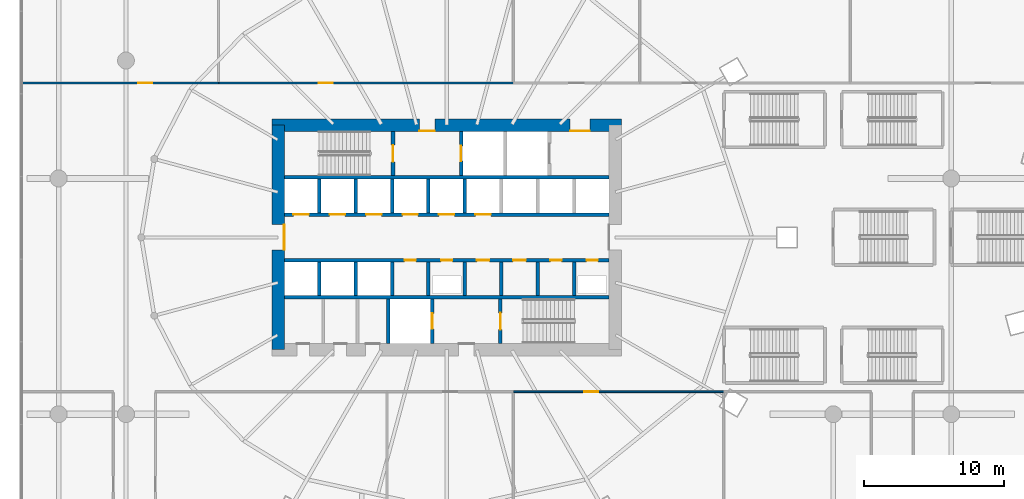
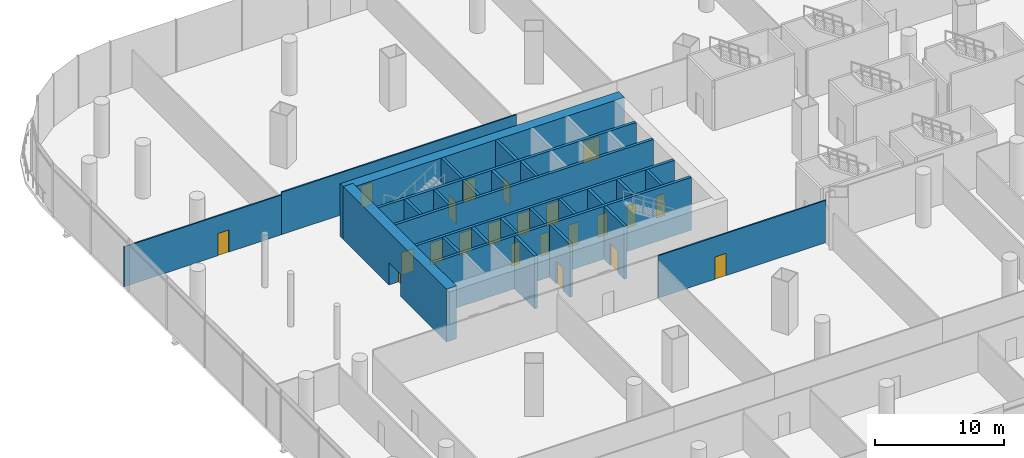
# One storey, part 34 of 51: 27 walls, 22 doors, 22 openings.
"""IFC4 building model written with IfcOpenShell, lengths in metres."""

from ifc_helpers import new_model, si_unit, direction, frame, frame_2d, origin, place, context, subcontext, project, spatial, rectangle, extrude, material, layer, layer_set, type_object, element, fill, save


model = new_model("IFC4")

# Units and contexts
model_context = context("Model", 3, precision=1e-05, world=origin(), true_north=direction((0.0, 1.0)))
body_context = subcontext(model_context, "Body", "Model", "MODEL_VIEW")
ifc_project = project(units=[si_unit("LENGTHUNIT", "METRE"), si_unit("AREAUNIT", "SQUARE_METRE"), si_unit("VOLUMEUNIT", "CUBIC_METRE"), si_unit("PLANEANGLEUNIT", "RADIAN"), si_unit("MASSUNIT", "GRAM", prefix="KILO")], contexts=[model_context])

# Site, building, storey
site_placement = place(None, origin())
site = spatial("IfcSite", under=ifc_project, at=site_placement, CompositionType="ELEMENT")
building_placement = place(site_placement, origin())
building = spatial("IfcBuilding", under=site, at=building_placement, Name="Rimbun Link Towers", CompositionType="ELEMENT")
storey_placement = place(building_placement, frame((0.0, 0.0, 7.0)))
storey = spatial("IfcBuildingStorey", under=building, at=storey_placement, Name="L01", CompositionType="ELEMENT", Elevation=7.0)

# Wall, openings, doors
ifc_material_1 = material(Name="Concrete C60/75", Category="concrete")
ifc_layer_1 = layer(ifc_material_1, 0.89990234375)
ifc_layer_set_1 = layer_set([ifc_layer_1], Name="Core shear wall 900")
wall_type_1 = type_object("IfcWallType", Name="Core shear wall 900", PredefinedType="SHEAR", material=ifc_layer_set_1)
wall_1_placement = place(storey_placement, frame((-44.199951171875, 8.0, 0.0), z_axis=(0.0, 0.0, 1.0), x_axis=(1.0, 0.0, 0.0)))
wall_1 = element("IfcWall", 1, at=wall_1_placement, inside=storey, type_object=wall_type_1, Name="L01 T1 core wall N", PredefinedType="SHEAR", context=body_context, shape_type="SweptSolid", body=[
    extrude(rectangle(XDim=24.89990234375, YDim=0.89990234375, at=frame_2d((12.449951171875, 0.0))), origin(), (0.0, 0.0, 1.0), 5.0),
])
opening_1_placement = place(wall_1_placement, frame((10.5, 0.0, 0.0)))
opening_1 = element("IfcOpeningElement", 2, at=opening_1_placement, cuts=wall_1, Name="Opening C1DCF01N", PredefinedType="OPENING", context=body_context, shape_type="SweptSolid", body=[
    extrude(rectangle(XDim=1.10009765625, YDim=2.10009765625, at=frame_2d((0.550048828125, 1.050048828125))), frame((0.0, 0.4599609375, 0.0), z_axis=(0.0, -1.0, 0.0), x_axis=(1.0, 0.0, 0.0)), (0.0, 0.0, 1.0), 0.919921875),
])
opening_2_placement = place(wall_1_placement, frame((21.25, 0.0, 0.0)))
opening_2 = element("IfcOpeningElement", 3, at=opening_2_placement, cuts=wall_1, Name="Opening C1DSL02N", PredefinedType="OPENING", context=body_context, shape_type="SweptSolid", body=[
    extrude(rectangle(XDim=1.39990234375, YDim=2.10009765625, at=frame_2d((0.699951171875, 1.050048828125))), frame((0.0, 0.4599609375, 0.0), z_axis=(0.0, -1.0, 0.0), x_axis=(1.0, 0.0, 0.0)), (0.0, 0.0, 1.0), 0.919921875),
])
ifc_material_2 = material(Name="Steel fire door set", Category="steel")
door_type_1 = type_object("IfcDoorType", Name="Core fire door single", OperationType="SINGLE_SWING_LEFT", PredefinedType="DOOR", material=ifc_material_2)
door_1_placement = place(opening_1_placement, origin())
door_1 = element("IfcDoor", 4, at=door_1_placement, inside=storey, type_object=door_type_1, Name="L01 T1 firefighting lobby n door", OperationType="SINGLE_SWING_LEFT", OverallHeight=2.10009765625, OverallWidth=1.10009765625, PredefinedType="DOOR", context=body_context, shape_type="SweptSolid", body=[
    extrude(rectangle(XDim=1.10009765625, YDim=2.10009765625, at=frame_2d((0.550048828125, 1.050048828125))), frame((0.0, -0.39990234375, 0.0), z_axis=(0.0, -1.0, 0.0), x_axis=(1.0, 0.0, 0.0)), (0.0, 0.0, 1.0), 0.050048828125),
])
fill(opening_1, door_1)
ifc_material_3 = material(Name="Steel fire door set", Category="steel")
door_type_2 = type_object("IfcDoorType", Name="Service lobby door double", OperationType="DOUBLE_DOOR_SINGLE_SWING", PredefinedType="DOOR", material=ifc_material_3)
door_2_placement = place(opening_2_placement, origin())
door_2 = element("IfcDoor", 5, at=door_2_placement, inside=storey, type_object=door_type_2, Name="L01 T1 service lobby door", OperationType="DOUBLE_DOOR_SINGLE_SWING", OverallHeight=2.10009765625, OverallWidth=1.39990234375, PredefinedType="DOOR", context=body_context, shape_type="SweptSolid", body=[
    extrude(rectangle(XDim=1.39990234375, YDim=2.10009765625, at=frame_2d((0.699951171875, 1.050048828125))), frame((0.0, -0.39990234375, 0.0), z_axis=(0.0, -1.0, 0.0), x_axis=(1.0, 0.0, 0.0)), (0.0, 0.0, 1.0), 0.050048828125),
])
fill(opening_2, door_2)

# Wall, opening, door
wall_2_placement = place(storey_placement, frame((-43.75, -8.0, 0.0), z_axis=(0.0, 0.0, 1.0), x_axis=(0.0, 1.0, 0.0)))
wall_2 = element("IfcWall", 6, at=wall_2_placement, inside=storey, type_object=wall_type_1, Name="L01 T1 core wall W", PredefinedType="SHEAR", context=body_context, shape_type="SweptSolid", body=[
    extrude(rectangle(XDim=16.0, YDim=0.89990234375, at=frame_2d((8.0, 0.0))), origin(), (0.0, 0.0, 1.0), 5.0),
])
opening_3_placement = place(wall_2_placement, frame((7.10009765625, 0.0, 0.0)))
opening_3 = element("IfcOpeningElement", 7, at=opening_3_placement, cuts=wall_2, Name="Opening C1DCL01W", PredefinedType="OPENING", context=body_context, shape_type="SweptSolid", body=[
    extrude(rectangle(XDim=1.800048828125, YDim=2.10009765625, at=frame_2d((0.89990234375, 1.050048828125))), frame((0.0, 0.4599609375, 0.0), z_axis=(0.0, -1.0, 0.0), x_axis=(1.0, 0.0, 0.0)), (0.0, 0.0, 1.0), 0.919921875),
])
ifc_material_4 = material(Name="Steel fire door set", Category="steel")
door_type_3 = type_object("IfcDoorType", Name="Core lobby door double", OperationType="DOUBLE_DOOR_SINGLE_SWING", PredefinedType="DOOR", material=ifc_material_4)
door_3_placement = place(opening_3_placement, origin())
door_3 = element("IfcDoor", 8, at=door_3_placement, inside=storey, type_object=door_type_3, Name="L01 T1 lift lobby door", OperationType="DOUBLE_DOOR_SINGLE_SWING", OverallHeight=2.10009765625, OverallWidth=1.800048828125, PredefinedType="DOOR", context=body_context, shape_type="SweptSolid", body=[
    extrude(rectangle(XDim=1.800048828125, YDim=2.10009765625, at=frame_2d((0.89990234375, 1.050048828125))), frame((0.0, -0.39990234375, 0.0), z_axis=(0.0, -1.0, 0.0), x_axis=(1.0, 0.0, 0.0)), (0.0, 0.0, 1.0), 0.050048828125),
])
fill(opening_3, door_3)

ifc_material_5 = material(Name="Gypsum board on steel studs", Category="steel")
ifc_layer_2 = layer(ifc_material_5, 0.125)
ifc_layer_set_2 = layer_set([ifc_layer_2], Name="Partition 125 board on studs")
wall_type_2 = type_object("IfcWallType", Name="Partition 125 board on studs", PredefinedType="PARTITIONING", material=ifc_layer_set_2)
wall_3_placement = place(storey_placement, frame((-27.0, -11.0, 0.0), z_axis=(0.0, 0.0, 1.0), x_axis=(1.0, 0.0, 0.0)))
wall_3 = element("IfcWall", 9, at=wall_3_placement, inside=storey, type_object=wall_type_2, Name="PD/PW/L01/028", PredefinedType="PARTITIONING", context=body_context, shape_type="SweptSolid", body=[
    extrude(rectangle(XDim=15.0, YDim=0.125, at=frame_2d((7.5, 0.0))), origin(), (0.0, 0.0, 1.0), 3.99609375),
])
opening_4_placement = place(wall_3_placement, frame((5.034912109375, 0.0, 0.0)))
opening_4 = element("IfcOpeningElement", 10, at=opening_4_placement, cuts=wall_3, Name="Opening PD D01.14", PredefinedType="OPENING", context=body_context, shape_type="SweptSolid", body=[
    extrude(rectangle(XDim=1.0, YDim=2.10009765625, at=frame_2d((0.5, 1.050048828125))), frame((0.0, 0.072509765625, 0.0), z_axis=(0.0, -1.0, 0.0), x_axis=(1.0, 0.0, 0.0)), (0.0, 0.0, 1.0), 0.14501953125),
])
ifc_material_6 = material(Name="Timber door set", Category="wood")
door_type_4 = type_object("IfcDoorType", Name="Door single leaf 1000 x 2100", OperationType="NOTDEFINED", PredefinedType="DOOR", material=ifc_material_6)
door_4_placement = place(opening_4_placement, origin())
door_4 = element("IfcDoor", 11, at=door_4_placement, inside=storey, type_object=door_type_4, Name="PD/DR/L01/014", OperationType="SINGLE_SWING_LEFT", OverallHeight=2.10009765625, OverallWidth=1.0, PredefinedType="DOOR", context=body_context, shape_type="SweptSolid", body=[
    extrude(rectangle(XDim=1.0, YDim=2.10009765625, at=frame_2d((0.5, 1.050048828125))), frame((0.0, 0.02490234375, 0.0), z_axis=(0.0, -1.0, 0.0), x_axis=(1.0, 0.0, 0.0)), (0.0, 0.0, 1.0), 0.050048828125),
])
fill(opening_4, door_4)

wall_4_placement = place(storey_placement, frame((-48.0, 11.0, 0.0), z_axis=(0.0, 0.0, 1.0), x_axis=(-1.0, 0.0, 0.0)))
wall_4 = element("IfcWall", 12, at=wall_4_placement, inside=storey, type_object=wall_type_2, Name="PD/PW/L01/038", PredefinedType="PARTITIONING", context=body_context, shape_type="SweptSolid", body=[
    extrude(rectangle(XDim=14.080078125, YDim=0.125, at=frame_2d((7.0400390625, 0.0))), origin(), (0.0, 0.0, 1.0), 3.761962890625),
])
opening_5_placement = place(wall_4_placement, frame((4.712890625, 0.0, 0.0)))
opening_5 = element("IfcOpeningElement", 13, at=opening_5_placement, cuts=wall_4, Name="Opening PD D01.26", PredefinedType="OPENING", context=body_context, shape_type="SweptSolid", body=[
    extrude(rectangle(XDim=1.0, YDim=2.10009765625, at=frame_2d((0.5, 1.050048828125))), frame((0.0, 0.072509765625, 0.0), z_axis=(0.0, -1.0, 0.0), x_axis=(1.0, 0.0, 0.0)), (0.0, 0.0, 1.0), 0.14501953125),
])
door_5_placement = place(opening_5_placement, origin())
door_5 = element("IfcDoor", 14, at=door_5_placement, inside=storey, type_object=door_type_4, Name="PD/DR/L01/026", OperationType="SINGLE_SWING_LEFT", OverallHeight=2.10009765625, OverallWidth=1.0, PredefinedType="DOOR", context=body_context, shape_type="SweptSolid", body=[
    extrude(rectangle(XDim=1.0, YDim=2.10009765625, at=frame_2d((0.5, 1.050048828125))), frame((0.0, 0.02490234375, 0.0), z_axis=(0.0, -1.0, 0.0), x_axis=(1.0, 0.0, 0.0)), (0.0, 0.0, 1.0), 0.050048828125),
])
fill(opening_5, door_5)

wall_5_placement = place(storey_placement, frame((-27.0, 11.0, 0.0), z_axis=(0.0, 0.0, 1.0), x_axis=(-1.0, 0.0, 0.0)))
wall_5 = element("IfcWall", 15, at=wall_5_placement, inside=storey, type_object=wall_type_2, Name="PD/PW/L01/039", PredefinedType="PARTITIONING", context=body_context, shape_type="SweptSolid", body=[
    extrude(rectangle(XDim=21.0, YDim=0.125, at=frame_2d((10.5, 0.0))), origin(), (0.0, 0.0, 1.0), 3.99609375),
])
opening_6_placement = place(wall_5_placement, frame((12.864990234375, 0.0, 0.0)))
opening_6 = element("IfcOpeningElement", 16, at=opening_6_placement, cuts=wall_5, Name="Opening PD D01.27", PredefinedType="OPENING", context=body_context, shape_type="SweptSolid", body=[
    extrude(rectangle(XDim=1.0, YDim=2.10009765625, at=frame_2d((0.5, 1.050048828125))), frame((0.0, 0.072509765625, 0.0), z_axis=(0.0, -1.0, 0.0), x_axis=(1.0, 0.0, 0.0)), (0.0, 0.0, 1.0), 0.14501953125),
])
door_6_placement = place(opening_6_placement, origin())
door_6 = element("IfcDoor", 17, at=door_6_placement, inside=storey, type_object=door_type_4, Name="PD/DR/L01/027", OperationType="SINGLE_SWING_RIGHT", OverallHeight=2.10009765625, OverallWidth=1.0, PredefinedType="DOOR", context=body_context, shape_type="SweptSolid", body=[
    extrude(rectangle(XDim=1.0, YDim=2.10009765625, at=frame_2d((0.5, 1.050048828125))), frame((0.0, 0.02490234375, 0.0), z_axis=(0.0, -1.0, 0.0), x_axis=(1.0, 0.0, 0.0)), (0.0, 0.0, 1.0), 0.050048828125),
])
fill(opening_6, door_6)

# Walls
ifc_material_7 = material(Name="Concrete C60/75", Category="concrete")
ifc_layer_3 = layer(ifc_material_7, 0.25)
ifc_layer_set_3 = layer_set([ifc_layer_3], Name="Shaft wall 250")
wall_type_3 = type_object("IfcWallType", Name="Shaft wall 250", PredefinedType="SHEAR", material=ifc_layer_set_3)
for number, where, z_axis, x_axis, name in (
    (18, (-43.300048828125, 4.27490234375, 0.0), (0.0, 0.0, 1.0), (1.0, 0.0, 0.0), "L01 T1 core wall BN"),
    (19, (-43.300048828125, -4.27490234375, 0.0), (0.0, 0.0, 1.0), (1.0, 0.0, 0.0), "L01 T1 core wall BS"),
):
    element("IfcWall", number, at=place(storey_placement, frame(where, z_axis=z_axis, x_axis=x_axis)), inside=storey, type_object=wall_type_3, Name=name, PredefinedType="SHEAR", context=body_context, shape_type="SweptSolid", body=[
        extrude(rectangle(XDim=23.10009765625, YDim=0.25, at=frame_2d((11.550048828125, 0.0))), origin(), (0.0, 0.0, 1.0), 5.0),
    ])

# Wall, openings, doors
wall_6_placement = place(storey_placement, frame((-43.300048828125, 1.625, 0.0), z_axis=(0.0, 0.0, 1.0), x_axis=(1.0, 0.0, 0.0)))
wall_6 = element("IfcWall", 20, at=wall_6_placement, inside=storey, type_object=wall_type_3, Name="L01 T1 core wall FN", PredefinedType="SHEAR", context=body_context, shape_type="SweptSolid", body=[
    extrude(rectangle(XDim=23.10009765625, YDim=0.25, at=frame_2d((11.550048828125, 0.0))), origin(), (0.0, 0.0, 1.0), 5.0),
])
opening_7_placement = place(wall_6_placement, frame((0.622314453125, 0.0, 0.0)))
opening_7 = element("IfcOpeningElement", 21, at=opening_7_placement, cuts=wall_6, Name="Opening LD-T1-LR1", PredefinedType="OPENING", context=body_context, shape_type="SweptSolid", body=[
    extrude(rectangle(XDim=1.10009765625, YDim=2.10009765625, at=frame_2d((0.550048828125, 1.050048828125))), frame((0.0, 0.135009765625, 0.0), z_axis=(0.0, -1.0, 0.0), x_axis=(1.0, 0.0, 0.0)), (0.0, 0.0, 1.0), 0.27001953125),
])
opening_8_placement = place(wall_6_placement, frame((3.216796875, 0.0, 0.0)))
opening_8 = element("IfcOpeningElement", 22, at=opening_8_placement, cuts=wall_6, Name="Opening LD-T1-LR2", PredefinedType="OPENING", context=body_context, shape_type="SweptSolid", body=[
    extrude(rectangle(XDim=1.10009765625, YDim=2.10009765625, at=frame_2d((0.550048828125, 1.050048828125))), frame((0.0, 0.135009765625, 0.0), z_axis=(0.0, -1.0, 0.0), x_axis=(1.0, 0.0, 0.0)), (0.0, 0.0, 1.0), 0.27001953125),
])
opening_9_placement = place(wall_6_placement, frame((5.81103515625, 0.0, 0.0)))
opening_9 = element("IfcOpeningElement", 23, at=opening_9_placement, cuts=wall_6, Name="Opening LD-T1-LR3", PredefinedType="OPENING", context=body_context, shape_type="SweptSolid", body=[
    extrude(rectangle(XDim=1.10009765625, YDim=2.10009765625, at=frame_2d((0.550048828125, 1.050048828125))), frame((0.0, 0.135009765625, 0.0), z_axis=(0.0, -1.0, 0.0), x_axis=(1.0, 0.0, 0.0)), (0.0, 0.0, 1.0), 0.27001953125),
])
opening_10_placement = place(wall_6_placement, frame((8.405517578125, 0.0, 0.0)))
opening_10 = element("IfcOpeningElement", 24, at=opening_10_placement, cuts=wall_6, Name="Opening LD-T1-LR4", PredefinedType="OPENING", context=body_context, shape_type="SweptSolid", body=[
    extrude(rectangle(XDim=1.10009765625, YDim=2.10009765625, at=frame_2d((0.550048828125, 1.050048828125))), frame((0.0, 0.135009765625, 0.0), z_axis=(0.0, -1.0, 0.0), x_axis=(1.0, 0.0, 0.0)), (0.0, 0.0, 1.0), 0.27001953125),
])
opening_11_placement = place(wall_6_placement, frame((11.0, 0.0, 0.0)))
opening_11 = element("IfcOpeningElement", 25, at=opening_11_placement, cuts=wall_6, Name="Opening LD-T1-LR5", PredefinedType="OPENING", context=body_context, shape_type="SweptSolid", body=[
    extrude(rectangle(XDim=1.10009765625, YDim=2.10009765625, at=frame_2d((0.550048828125, 1.050048828125))), frame((0.0, 0.135009765625, 0.0), z_axis=(0.0, -1.0, 0.0), x_axis=(1.0, 0.0, 0.0)), (0.0, 0.0, 1.0), 0.27001953125),
])
opening_12_placement = place(wall_6_placement, frame((13.594482421875, 0.0, 0.0)))
opening_12 = element("IfcOpeningElement", 26, at=opening_12_placement, cuts=wall_6, Name="Opening LD-T1-LR6", PredefinedType="OPENING", context=body_context, shape_type="SweptSolid", body=[
    extrude(rectangle(XDim=1.10009765625, YDim=2.10009765625, at=frame_2d((0.550048828125, 1.050048828125))), frame((0.0, 0.135009765625, 0.0), z_axis=(0.0, -1.0, 0.0), x_axis=(1.0, 0.0, 0.0)), (0.0, 0.0, 1.0), 0.27001953125),
])
ifc_material_8 = material(Name="Stainless steel grade 316", Category="steel")
door_type_5 = type_object("IfcDoorType", Name="Lift landing door", OperationType="DOUBLE_DOOR_SLIDING", PredefinedType="DOOR", material=ifc_material_8)
door_7_placement = place(opening_7_placement, origin())
door_7 = element("IfcDoor", 27, at=door_7_placement, inside=storey, type_object=door_type_5, Name="L01 T1 lift LR1 landing door", OperationType="DOUBLE_DOOR_SLIDING", OverallHeight=2.10009765625, OverallWidth=1.10009765625, PredefinedType="DOOR", context=body_context, shape_type="SweptSolid", body=[
    extrude(rectangle(XDim=1.10009765625, YDim=2.10009765625, at=frame_2d((0.550048828125, 1.050048828125))), frame((0.0, 0.02490234375, 0.0), z_axis=(0.0, -1.0, 0.0), x_axis=(1.0, 0.0, 0.0)), (0.0, 0.0, 1.0), 0.050048828125),
])
fill(opening_7, door_7)
door_8_placement = place(opening_8_placement, origin())
door_8 = element("IfcDoor", 28, at=door_8_placement, inside=storey, type_object=door_type_5, Name="L01 T1 lift LR2 landing door", OperationType="DOUBLE_DOOR_SLIDING", OverallHeight=2.10009765625, OverallWidth=1.10009765625, PredefinedType="DOOR", context=body_context, shape_type="SweptSolid", body=[
    extrude(rectangle(XDim=1.10009765625, YDim=2.10009765625, at=frame_2d((0.550048828125, 1.050048828125))), frame((0.0, 0.02490234375, 0.0), z_axis=(0.0, -1.0, 0.0), x_axis=(1.0, 0.0, 0.0)), (0.0, 0.0, 1.0), 0.050048828125),
])
fill(opening_8, door_8)
door_9_placement = place(opening_9_placement, origin())
door_9 = element("IfcDoor", 29, at=door_9_placement, inside=storey, type_object=door_type_5, Name="L01 T1 lift LR3 landing door", OperationType="DOUBLE_DOOR_SLIDING", OverallHeight=2.10009765625, OverallWidth=1.10009765625, PredefinedType="DOOR", context=body_context, shape_type="SweptSolid", body=[
    extrude(rectangle(XDim=1.10009765625, YDim=2.10009765625, at=frame_2d((0.550048828125, 1.050048828125))), frame((0.0, 0.02490234375, 0.0), z_axis=(0.0, -1.0, 0.0), x_axis=(1.0, 0.0, 0.0)), (0.0, 0.0, 1.0), 0.050048828125),
])
fill(opening_9, door_9)
door_10_placement = place(opening_10_placement, origin())
door_10 = element("IfcDoor", 30, at=door_10_placement, inside=storey, type_object=door_type_5, Name="L01 T1 lift LR4 landing door", OperationType="DOUBLE_DOOR_SLIDING", OverallHeight=2.10009765625, OverallWidth=1.10009765625, PredefinedType="DOOR", context=body_context, shape_type="SweptSolid", body=[
    extrude(rectangle(XDim=1.10009765625, YDim=2.10009765625, at=frame_2d((0.550048828125, 1.050048828125))), frame((0.0, 0.02490234375, 0.0), z_axis=(0.0, -1.0, 0.0), x_axis=(1.0, 0.0, 0.0)), (0.0, 0.0, 1.0), 0.050048828125),
])
fill(opening_10, door_10)
door_11_placement = place(opening_11_placement, origin())
door_11 = element("IfcDoor", 31, at=door_11_placement, inside=storey, type_object=door_type_5, Name="L01 T1 lift LR5 landing door", OperationType="DOUBLE_DOOR_SLIDING", OverallHeight=2.10009765625, OverallWidth=1.10009765625, PredefinedType="DOOR", context=body_context, shape_type="SweptSolid", body=[
    extrude(rectangle(XDim=1.10009765625, YDim=2.10009765625, at=frame_2d((0.550048828125, 1.050048828125))), frame((0.0, 0.02490234375, 0.0), z_axis=(0.0, -1.0, 0.0), x_axis=(1.0, 0.0, 0.0)), (0.0, 0.0, 1.0), 0.050048828125),
])
fill(opening_11, door_11)
door_12_placement = place(opening_12_placement, origin())
door_12 = element("IfcDoor", 32, at=door_12_placement, inside=storey, type_object=door_type_5, Name="L01 T1 lift LR6 landing door", OperationType="DOUBLE_DOOR_SLIDING", OverallHeight=2.10009765625, OverallWidth=1.10009765625, PredefinedType="DOOR", context=body_context, shape_type="SweptSolid", body=[
    extrude(rectangle(XDim=1.10009765625, YDim=2.10009765625, at=frame_2d((0.550048828125, 1.050048828125))), frame((0.0, 0.02490234375, 0.0), z_axis=(0.0, -1.0, 0.0), x_axis=(1.0, 0.0, 0.0)), (0.0, 0.0, 1.0), 0.050048828125),
])
fill(opening_12, door_12)

wall_7_placement = place(storey_placement, frame((-43.300048828125, -1.625, 0.0), z_axis=(0.0, 0.0, 1.0), x_axis=(1.0, 0.0, 0.0)))
wall_7 = element("IfcWall", 33, at=wall_7_placement, inside=storey, type_object=wall_type_3, Name="L01 T1 core wall FS", PredefinedType="SHEAR", context=body_context, shape_type="SweptSolid", body=[
    extrude(rectangle(XDim=23.10009765625, YDim=0.25, at=frame_2d((11.550048828125, 0.0))), origin(), (0.0, 0.0, 1.0), 5.0),
])
opening_13_placement = place(wall_7_placement, frame((8.5556640625, 0.0, 0.0)))
opening_13 = element("IfcOpeningElement", 34, at=opening_13_placement, cuts=wall_7, Name="Opening C1DRA01FS", PredefinedType="OPENING", context=body_context, shape_type="SweptSolid", body=[
    extrude(rectangle(XDim=0.800048828125, YDim=2.10009765625, at=frame_2d((0.39990234375, 1.050048828125))), frame((0.0, 0.135009765625, 0.0), z_axis=(0.0, -1.0, 0.0), x_axis=(1.0, 0.0, 0.0)), (0.0, 0.0, 1.0), 0.27001953125),
])
opening_14_placement = place(wall_7_placement, frame((11.14990234375, 0.0, 0.0)))
opening_14 = element("IfcOpeningElement", 35, at=opening_14_placement, cuts=wall_7, Name="Opening C1DRA02FS", PredefinedType="OPENING", context=body_context, shape_type="SweptSolid", body=[
    extrude(rectangle(XDim=0.800048828125, YDim=2.10009765625, at=frame_2d((0.39990234375, 1.050048828125))), frame((0.0, 0.135009765625, 0.0), z_axis=(0.0, -1.0, 0.0), x_axis=(1.0, 0.0, 0.0)), (0.0, 0.0, 1.0), 0.27001953125),
])
opening_15_placement = place(wall_7_placement, frame((13.6943359375, 0.0, 0.0)))
opening_15 = element("IfcOpeningElement", 36, at=opening_15_placement, cuts=wall_7, Name="Opening C1DRS03FS", PredefinedType="OPENING", context=body_context, shape_type="SweptSolid", body=[
    extrude(rectangle(XDim=0.89990234375, YDim=2.10009765625, at=frame_2d((0.449951171875, 1.050048828125))), frame((0.0, 0.135009765625, 0.0), z_axis=(0.0, -1.0, 0.0), x_axis=(1.0, 0.0, 0.0)), (0.0, 0.0, 1.0), 0.27001953125),
])
opening_16_placement = place(wall_7_placement, frame((16.288818359375, 0.0, 0.0)))
opening_16 = element("IfcOpeningElement", 37, at=opening_16_placement, cuts=wall_7, Name="Opening C1DRS04FS", PredefinedType="OPENING", context=body_context, shape_type="SweptSolid", body=[
    extrude(rectangle(XDim=0.89990234375, YDim=2.10009765625, at=frame_2d((0.449951171875, 1.050048828125))), frame((0.0, 0.135009765625, 0.0), z_axis=(0.0, -1.0, 0.0), x_axis=(1.0, 0.0, 0.0)), (0.0, 0.0, 1.0), 0.27001953125),
])
opening_17_placement = place(wall_7_placement, frame((18.933349609375, 0.0, 0.0)))
opening_17 = element("IfcOpeningElement", 38, at=opening_17_placement, cuts=wall_7, Name="Opening C1DRA05FS", PredefinedType="OPENING", context=body_context, shape_type="SweptSolid", body=[
    extrude(rectangle(XDim=0.800048828125, YDim=2.10009765625, at=frame_2d((0.39990234375, 1.050048828125))), frame((0.0, 0.135009765625, 0.0), z_axis=(0.0, -1.0, 0.0), x_axis=(1.0, 0.0, 0.0)), (0.0, 0.0, 1.0), 0.27001953125),
])
opening_18_placement = place(wall_7_placement, frame((21.52783203125, 0.0, 0.0)))
opening_18 = element("IfcOpeningElement", 39, at=opening_18_placement, cuts=wall_7, Name="Opening C1DRA06FS", PredefinedType="OPENING", context=body_context, shape_type="SweptSolid", body=[
    extrude(rectangle(XDim=0.800048828125, YDim=2.10009765625, at=frame_2d((0.39990234375, 1.050048828125))), frame((0.0, 0.135009765625, 0.0), z_axis=(0.0, -1.0, 0.0), x_axis=(1.0, 0.0, 0.0)), (0.0, 0.0, 1.0), 0.27001953125),
])
ifc_material_9 = material(Name="Steel fire door set", Category="steel")
door_type_6 = type_object("IfcDoorType", Name="Core riser door", OperationType="SINGLE_SWING_LEFT", PredefinedType="DOOR", material=ifc_material_9)
door_13_placement = place(opening_15_placement, origin())
door_13 = element("IfcDoor", 40, at=door_13_placement, inside=storey, type_object=door_type_6, Name="L01 T1 staff store door", OperationType="SINGLE_SWING_LEFT", OverallHeight=2.10009765625, OverallWidth=0.89990234375, PredefinedType="DOOR", context=body_context, shape_type="SweptSolid", body=[
    extrude(rectangle(XDim=0.89990234375, YDim=2.10009765625, at=frame_2d((0.449951171875, 1.050048828125))), frame((0.0, 0.02490234375, 0.0), z_axis=(0.0, -1.0, 0.0), x_axis=(1.0, 0.0, 0.0)), (0.0, 0.0, 1.0), 0.050048828125),
])
fill(opening_15, door_13)
door_14_placement = place(opening_16_placement, origin())
door_14 = element("IfcDoor", 41, at=door_14_placement, inside=storey, type_object=door_type_6, Name="L01 T1 it cupboard door", OperationType="SINGLE_SWING_LEFT", OverallHeight=2.10009765625, OverallWidth=0.89990234375, PredefinedType="DOOR", context=body_context, shape_type="SweptSolid", body=[
    extrude(rectangle(XDim=0.89990234375, YDim=2.10009765625, at=frame_2d((0.449951171875, 1.050048828125))), frame((0.0, 0.02490234375, 0.0), z_axis=(0.0, -1.0, 0.0), x_axis=(1.0, 0.0, 0.0)), (0.0, 0.0, 1.0), 0.050048828125),
])
fill(opening_16, door_14)
ifc_material_10 = material(Name="Steel fire door set", Category="steel")
door_type_7 = type_object("IfcDoorType", Name="Riser access door 800 x 2100", OperationType="SINGLE_SWING_LEFT", PredefinedType="DOOR", material=ifc_material_10)
door_15_placement = place(opening_13_placement, origin())
door_15 = element("IfcDoor", 42, at=door_15_placement, inside=storey, type_object=door_type_7, Name="L01 T1 electrical room door", OperationType="SINGLE_SWING_LEFT", OverallHeight=2.10009765625, OverallWidth=0.800048828125, PredefinedType="DOOR", context=body_context, shape_type="SweptSolid", body=[
    extrude(rectangle(XDim=0.800048828125, YDim=2.10009765625, at=frame_2d((0.39990234375, 1.050048828125))), frame((0.0, 0.02490234375, 0.0), z_axis=(0.0, -1.0, 0.0), x_axis=(1.0, 0.0, 0.0)), (0.0, 0.0, 1.0), 0.050048828125),
])
fill(opening_13, door_15)
door_16_placement = place(opening_14_placement, origin())
door_16 = element("IfcDoor", 43, at=door_16_placement, inside=storey, type_object=door_type_7, Name="L01 T1 riser cupboard door", OperationType="SINGLE_SWING_LEFT", OverallHeight=2.10009765625, OverallWidth=0.800048828125, PredefinedType="DOOR", context=body_context, shape_type="SweptSolid", body=[
    extrude(rectangle(XDim=0.800048828125, YDim=2.10009765625, at=frame_2d((0.39990234375, 1.050048828125))), frame((0.0, 0.02490234375, 0.0), z_axis=(0.0, -1.0, 0.0), x_axis=(1.0, 0.0, 0.0)), (0.0, 0.0, 1.0), 0.050048828125),
])
fill(opening_14, door_16)
door_17_placement = place(opening_17_placement, origin())
door_17 = element("IfcDoor", 44, at=door_17_placement, inside=storey, type_object=door_type_7, Name="L01 T1 electrical room door", OperationType="SINGLE_SWING_RIGHT", OverallHeight=2.10009765625, OverallWidth=0.800048828125, PredefinedType="DOOR", context=body_context, shape_type="SweptSolid", body=[
    extrude(rectangle(XDim=0.800048828125, YDim=2.10009765625, at=frame_2d((0.39990234375, 1.050048828125))), frame((0.0, 0.02490234375, 0.0), z_axis=(0.0, -1.0, 0.0), x_axis=(1.0, 0.0, 0.0)), (0.0, 0.0, 1.0), 0.050048828125),
])
fill(opening_17, door_17)
door_18_placement = place(opening_18_placement, origin())
door_18 = element("IfcDoor", 45, at=door_18_placement, inside=storey, type_object=door_type_7, Name="L01 T1 riser cupboard door", OperationType="SINGLE_SWING_LEFT", OverallHeight=2.10009765625, OverallWidth=0.800048828125, PredefinedType="DOOR", context=body_context, shape_type="SweptSolid", body=[
    extrude(rectangle(XDim=0.800048828125, YDim=2.10009765625, at=frame_2d((0.39990234375, 1.050048828125))), frame((0.0, 0.02490234375, 0.0), z_axis=(0.0, -1.0, 0.0), x_axis=(1.0, 0.0, 0.0)), (0.0, 0.0, 1.0), 0.050048828125),
])
fill(opening_18, door_18)

# Walls
for number, where, z_axis, x_axis, name in (
    (46, (-40.83056640625, 1.75, 0.0), (0.0, 0.0, 1.0), (0.0, 1.0, 0.0), "L01 T1 core wall DN0"),
    (47, (-38.236083984375, 1.75, 0.0), (0.0, 0.0, 1.0), (0.0, 1.0, 0.0), "L01 T1 core wall DN1"),
    (48, (-35.6416015625, 1.75, 0.0), (0.0, 0.0, 1.0), (0.0, 1.0, 0.0), "L01 T1 core wall DN2"),
    (49, (-33.047119140625, 1.75, 0.0), (0.0, 0.0, 1.0), (0.0, 1.0, 0.0), "L01 T1 core wall DN3"),
    (50, (-30.452880859375, 1.75, 0.0), (0.0, 0.0, 1.0), (0.0, 1.0, 0.0), "L01 T1 core wall DN4"),
    (51, (-40.83056640625, -4.14990234375, 0.0), (0.0, 0.0, 1.0), (0.0, 1.0, 0.0), "L01 T1 core wall DS0"),
    (52, (-38.236083984375, -4.14990234375, 0.0), (0.0, 0.0, 1.0), (0.0, 1.0, 0.0), "L01 T1 core wall DS1"),
    (53, (-35.6416015625, -4.14990234375, 0.0), (0.0, 0.0, 1.0), (0.0, 1.0, 0.0), "L01 T1 core wall DS2"),
    (54, (-33.047119140625, -4.14990234375, 0.0), (0.0, 0.0, 1.0), (0.0, 1.0, 0.0), "L01 T1 core wall DS3"),
    (55, (-30.452880859375, -4.14990234375, 0.0), (0.0, 0.0, 1.0), (0.0, 1.0, 0.0), "L01 T1 core wall DS4"),
    (56, (-27.8583984375, -4.14990234375, 0.0), (0.0, 0.0, 1.0), (0.0, 1.0, 0.0), "L01 T1 core wall DS5"),
    (57, (-25.263916015625, -4.14990234375, 0.0), (0.0, 0.0, 1.0), (0.0, 1.0, 0.0), "L01 T1 core wall DS6"),
    (58, (-22.66943359375, -4.14990234375, 0.0), (0.0, 0.0, 1.0), (0.0, 1.0, 0.0), "L01 T1 core wall DS7"),
):
    element("IfcWall", number, at=place(storey_placement, frame(where, z_axis=z_axis, x_axis=x_axis)), inside=storey, type_object=wall_type_3, Name=name, PredefinedType="SHEAR", context=body_context, shape_type="SweptSolid", body=[
        extrude(rectangle(XDim=2.39990234375, YDim=0.25, at=frame_2d((1.199951171875, 0.0))), origin(), (0.0, 0.0, 1.0), 5.0),
    ])

# Wall, opening, door
wall_8_placement = place(storey_placement, frame((-35.574951171875, 4.39990234375, 0.0), z_axis=(0.0, 0.0, 1.0), x_axis=(0.0, 1.0, 0.0)))
wall_8 = element("IfcWall", 59, at=wall_8_placement, inside=storey, type_object=wall_type_3, Name="L01 T1 core wall A1", PredefinedType="SHEAR", context=body_context, shape_type="SweptSolid", body=[
    extrude(rectangle(XDim=3.150146484375, YDim=0.25, at=frame_2d((1.5751953125, 0.0))), origin(), (0.0, 0.0, 1.0), 5.0),
])
opening_19_placement = place(wall_8_placement, frame((0.97509765625, 0.0, 0.0)))
opening_19 = element("IfcOpeningElement", 60, at=opening_19_placement, cuts=wall_8, Name="Opening C1DST01A1", PredefinedType="OPENING", context=body_context, shape_type="SweptSolid", body=[
    extrude(rectangle(XDim=1.199951171875, YDim=2.10009765625, at=frame_2d((0.60009765625, 1.050048828125))), frame((0.0, 0.135009765625, 0.0), z_axis=(0.0, -1.0, 0.0), x_axis=(1.0, 0.0, 0.0)), (0.0, 0.0, 1.0), 0.27001953125),
])
ifc_material_11 = material(Name="Steel fire door set", Category="steel")
door_type_8 = type_object("IfcDoorType", Name="Stair door", OperationType="SINGLE_SWING_LEFT", PredefinedType="DOOR", material=ifc_material_11)
door_19_placement = place(opening_19_placement, origin())
door_19 = element("IfcDoor", 61, at=door_19_placement, inside=storey, type_object=door_type_8, Name="L01 T1 stair a door", OperationType="SINGLE_SWING_RIGHT", OverallHeight=2.10009765625, OverallWidth=1.199951171875, PredefinedType="DOOR", context=body_context, shape_type="SweptSolid", body=[
    extrude(rectangle(XDim=1.199951171875, YDim=2.10009765625, at=frame_2d((0.60009765625, 1.050048828125))), frame((0.0, 0.02490234375, 0.0), z_axis=(0.0, -1.0, 0.0), x_axis=(1.0, 0.0, 0.0)), (0.0, 0.0, 1.0), 0.050048828125),
])
fill(opening_19, door_19)

wall_9_placement = place(storey_placement, frame((-30.72509765625, 4.39990234375, 0.0), z_axis=(0.0, 0.0, 1.0), x_axis=(0.0, 1.0, 0.0)))
wall_9 = element("IfcWall", 62, at=wall_9_placement, inside=storey, type_object=wall_type_3, Name="L01 T1 core wall A2", PredefinedType="SHEAR", context=body_context, shape_type="SweptSolid", body=[
    extrude(rectangle(XDim=3.150146484375, YDim=0.25, at=frame_2d((1.5751953125, 0.0))), origin(), (0.0, 0.0, 1.0), 5.0),
])
opening_20_placement = place(wall_9_placement, frame((1.02490234375, 0.0, 0.0)))
opening_20 = element("IfcOpeningElement", 63, at=opening_20_placement, cuts=wall_9, Name="Opening LD-T1-FF1", PredefinedType="OPENING", context=body_context, shape_type="SweptSolid", body=[
    extrude(rectangle(XDim=1.10009765625, YDim=2.10009765625, at=frame_2d((0.550048828125, 1.050048828125))), frame((0.0, 0.135009765625, 0.0), z_axis=(0.0, -1.0, 0.0), x_axis=(1.0, 0.0, 0.0)), (0.0, 0.0, 1.0), 0.27001953125),
])
door_20_placement = place(opening_20_placement, origin())
door_20 = element("IfcDoor", 64, at=door_20_placement, inside=storey, type_object=door_type_5, Name="L01 T1 lift FF1 landing door", OperationType="DOUBLE_DOOR_SLIDING", OverallHeight=2.10009765625, OverallWidth=1.10009765625, PredefinedType="DOOR", context=body_context, shape_type="SweptSolid", body=[
    extrude(rectangle(XDim=1.10009765625, YDim=2.10009765625, at=frame_2d((0.550048828125, 1.050048828125))), frame((0.0, 0.02490234375, 0.0), z_axis=(0.0, -1.0, 0.0), x_axis=(1.0, 0.0, 0.0)), (0.0, 0.0, 1.0), 0.050048828125),
])
fill(opening_20, door_20)

wall_10_placement = place(storey_placement, frame((-27.925048828125, -4.39990234375, 0.0), z_axis=(0.0, 0.0, 1.0), x_axis=(0.0, -1.0, 0.0)))
wall_10 = element("IfcWall", 65, at=wall_10_placement, inside=storey, type_object=wall_type_3, Name="L01 T1 core wall B1", PredefinedType="SHEAR", context=body_context, shape_type="SweptSolid", body=[
    extrude(rectangle(XDim=3.150146484375, YDim=0.25, at=frame_2d((1.5751953125, 0.0))), origin(), (0.0, 0.0, 1.0), 5.0),
])
opening_21_placement = place(wall_10_placement, frame((0.97509765625, 0.0, 0.0)))
opening_21 = element("IfcOpeningElement", 66, at=opening_21_placement, cuts=wall_10, Name="Opening C1DST01B1", PredefinedType="OPENING", context=body_context, shape_type="SweptSolid", body=[
    extrude(rectangle(XDim=1.199951171875, YDim=2.10009765625, at=frame_2d((0.60009765625, 1.050048828125))), frame((0.0, 0.135009765625, 0.0), z_axis=(0.0, -1.0, 0.0), x_axis=(1.0, 0.0, 0.0)), (0.0, 0.0, 1.0), 0.27001953125),
])
door_21_placement = place(opening_21_placement, origin())
door_21 = element("IfcDoor", 67, at=door_21_placement, inside=storey, type_object=door_type_8, Name="L01 T1 stair b door", OperationType="SINGLE_SWING_LEFT", OverallHeight=2.10009765625, OverallWidth=1.199951171875, PredefinedType="DOOR", context=body_context, shape_type="SweptSolid", body=[
    extrude(rectangle(XDim=1.199951171875, YDim=2.10009765625, at=frame_2d((0.60009765625, 1.050048828125))), frame((0.0, 0.02490234375, 0.0), z_axis=(0.0, -1.0, 0.0), x_axis=(1.0, 0.0, 0.0)), (0.0, 0.0, 1.0), 0.050048828125),
])
fill(opening_21, door_21)

wall_11_placement = place(storey_placement, frame((-32.77490234375, -4.39990234375, 0.0), z_axis=(0.0, 0.0, 1.0), x_axis=(0.0, -1.0, 0.0)))
wall_11 = element("IfcWall", 68, at=wall_11_placement, inside=storey, type_object=wall_type_3, Name="L01 T1 core wall B2", PredefinedType="SHEAR", context=body_context, shape_type="SweptSolid", body=[
    extrude(rectangle(XDim=3.150146484375, YDim=0.25, at=frame_2d((1.5751953125, 0.0))), origin(), (0.0, 0.0, 1.0), 5.0),
])
opening_22_placement = place(wall_11_placement, frame((1.02490234375, 0.0, 0.0)))
opening_22 = element("IfcOpeningElement", 69, at=opening_22_placement, cuts=wall_11, Name="Opening LD-T1-FF2", PredefinedType="OPENING", context=body_context, shape_type="SweptSolid", body=[
    extrude(rectangle(XDim=1.10009765625, YDim=2.10009765625, at=frame_2d((0.550048828125, 1.050048828125))), frame((0.0, 0.135009765625, 0.0), z_axis=(0.0, -1.0, 0.0), x_axis=(1.0, 0.0, 0.0)), (0.0, 0.0, 1.0), 0.27001953125),
])
door_22_placement = place(opening_22_placement, origin())
door_22 = element("IfcDoor", 70, at=door_22_placement, inside=storey, type_object=door_type_5, Name="L01 T1 lift FF2 landing door", OperationType="DOUBLE_DOOR_SLIDING", OverallHeight=2.10009765625, OverallWidth=1.10009765625, PredefinedType="DOOR", context=body_context, shape_type="SweptSolid", body=[
    extrude(rectangle(XDim=1.10009765625, YDim=2.10009765625, at=frame_2d((0.550048828125, 1.050048828125))), frame((0.0, 0.02490234375, 0.0), z_axis=(0.0, -1.0, 0.0), x_axis=(1.0, 0.0, 0.0)), (0.0, 0.0, 1.0), 0.050048828125),
])
fill(opening_22, door_22)

# Wall
wall_12_placement = place(storey_placement, frame((-35.925048828125, -4.39990234375, 0.0), z_axis=(0.0, 0.0, 1.0), x_axis=(0.0, -1.0, 0.0)))
element("IfcWall", 71, at=wall_12_placement, inside=storey, type_object=wall_type_3, Name="L01 T1 core wall B3", PredefinedType="SHEAR", context=body_context, shape_type="SweptSolid", body=[
    extrude(rectangle(XDim=3.150146484375, YDim=0.25, at=frame_2d((1.5751953125, 0.0))), origin(), (0.0, 0.0, 1.0), 5.0),
])

save(model, "model.ifc")
